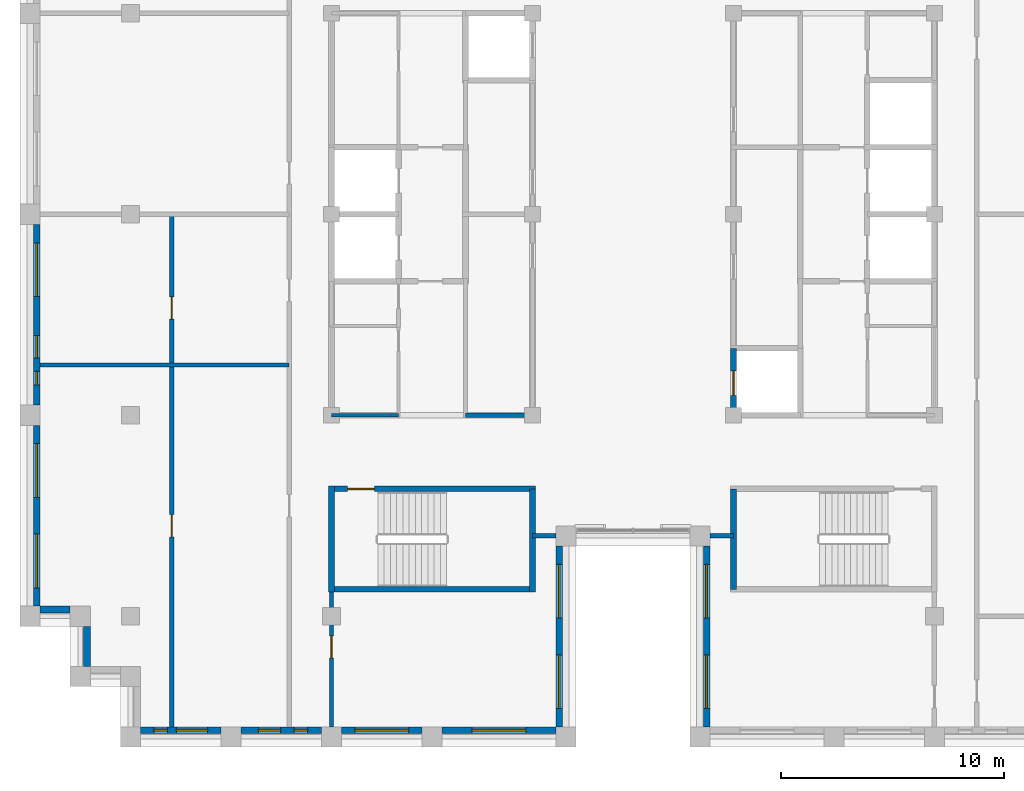
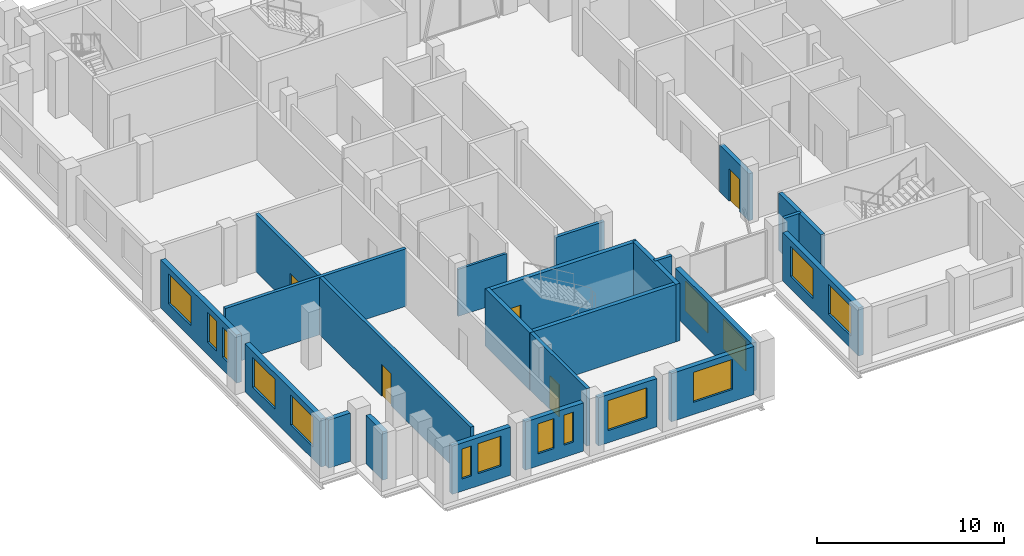
# One storey, part 6 of 13: 23 walls, 15 windows, 5 doors, 20 openings.
"""IFC4 building model written with IfcOpenShell, lengths in metres."""

import ifcopenshell
import ifcopenshell.guid

model = None  # the IFC model being written
_history = None  # IfcOwnerHistory: only IFC2X3 demands one
_inside = {}  # id of a spatial element -> (the spatial element, [elements in it])
_under = {}  # id of a project, library or spatial element -> (it, [spatial elements below it])
_declared = {}  # id of a project -> (the project, [libraries it declares])
_typed = {}  # id of a type object -> (the type object, [elements of that type])
_made_of = {}  # id of a material, layer set ... -> (it, [elements and type objects made of it])


def new_model(schema):
    """Start an empty IFC model of exactly this schema.

    Asked for "IFC4X3", IfcOpenShell would pick the latest addendum, in which some entities
    have other attributes; the version numbers below select the first issue.
    IFC2X3 requires an IfcOwnerHistory on every rooted entity: one is made here for all.
    """
    global model, _history
    if schema == "IFC4X3":
        model = ifcopenshell.file(schema_version=(4, 3, 0, 0))
    else:
        model = ifcopenshell.file(schema=schema)
    _inside.clear()
    _under.clear()
    _declared.clear()
    _typed.clear()
    _made_of.clear()
    _history = None
    if model.schema == "IFC2X3":
        org = make("IfcOrganization", Name="unknown")
        user = make(
            "IfcPersonAndOrganization",
            ThePerson=make("IfcPerson", FamilyName="unknown"),
            TheOrganization=org,
        )
        app = make(
            "IfcApplication",
            ApplicationDeveloper=org,
            Version="unknown",
            ApplicationFullName="unknown",
            ApplicationIdentifier="unknown",
        )
        _history = make(
            "IfcOwnerHistory",
            OwningUser=user,
            OwningApplication=app,
            ChangeAction="ADDED",
            CreationDate=0,
        )
    return model


def make(cls, **values):
    """One entity of the class cls with the attributes given. An attribute that is None is left unset."""
    return model.create_entity(
        cls, **{name: value for name, value in values.items() if value is not None}
    )


def rooted(cls, **values):
    """An entity with a GlobalId (a new one), such as an element, a storey or a relation."""
    return make(cls, GlobalId=ifcopenshell.guid.new(), OwnerHistory=_history, **values)


def si_unit(unit_type, name, prefix=None):
    """IfcSIUnit, for example si_unit("LENGTHUNIT", "METRE", prefix="MILLI")."""
    return make("IfcSIUnit", UnitType=unit_type, Prefix=prefix, Name=name)


def assignment(units):
    """IfcUnitAssignment: the units of a project."""
    return None if units is None else make("IfcUnitAssignment", Units=units)


def point(xyz):
    """IfcCartesianPoint."""
    return None if xyz is None else make("IfcCartesianPoint", Coordinates=xyz)


def direction(xyz):
    """IfcDirection."""
    return None if xyz is None else make("IfcDirection", DirectionRatios=xyz)


def frame(location, z_axis=None, x_axis=None):
    """IfcAxis2Placement3D, a coordinate frame: its origin and axes. An axis left out is left unset."""
    return make(
        "IfcAxis2Placement3D",
        Location=point(location),
        Axis=direction(z_axis),
        RefDirection=direction(x_axis),
    )


def frame_2d(location, x_axis=None):
    """IfcAxis2Placement2D, a coordinate frame in the plane: its origin and x axis."""
    return make(
        "IfcAxis2Placement2D", Location=point(location), RefDirection=direction(x_axis)
    )


def origin():
    """The frame at (0, 0, 0) with its axes left unset."""
    return frame((0.0, 0.0, 0.0))


def place(relative_to, where):
    """IfcLocalPlacement: puts the frame where relative to a parent placement (None: the world)."""
    return make(
        "IfcLocalPlacement", PlacementRelTo=relative_to, RelativePlacement=where
    )


def context(
    kind, dimensions, precision=None, world=None, true_north=None, identifier=None
):
    """IfcGeometricRepresentationContext, for example the 3D "Model" context."""
    return make(
        "IfcGeometricRepresentationContext",
        ContextIdentifier=identifier,
        ContextType=kind,
        CoordinateSpaceDimension=dimensions,
        Precision=precision,
        WorldCoordinateSystem=world,
        TrueNorth=true_north,
    )


def subcontext(parent, identifier, kind, view, scale=None):
    """IfcGeometricRepresentationSubContext, for example "Body" below "Model"."""
    return make(
        "IfcGeometricRepresentationSubContext",
        ContextIdentifier=identifier,
        ContextType=kind,
        ParentContext=parent,
        TargetScale=scale,
        TargetView=view,
    )


def project(units=None, contexts=None):
    """IfcProject with its units and contexts."""
    return rooted(
        "IfcProject",
        Name="project",
        RepresentationContexts=contexts,
        UnitsInContext=assignment(units),
    )


def spatial(cls, under=None, at=None, **own):
    """A site, building, storey or space (cls), placed at a placement, below another one or the project."""
    s = rooted(cls, ObjectPlacement=at, **own)
    if under is not None:
        _under.setdefault(under.id(), (under, []))[1].append(s)
    return s


def profile(cls, at=None, kind="AREA", **sizes):
    """A parametric profile (cls). Its sizes go by their IFC names, for example OverallWidth=200.0."""
    return make(cls, ProfileType=kind, Position=at, **sizes)


def rectangle(**sizes):
    """IfcRectangleProfileDef."""
    return profile("IfcRectangleProfileDef", **sizes)


def extrude(swept, where, along, depth):
    """IfcExtrudedAreaSolid: the profile swept, set in the frame where, extruded along a direction by depth."""
    return make(
        "IfcExtrudedAreaSolid",
        SweptArea=swept,
        Position=where,
        ExtrudedDirection=direction(along),
        Depth=depth,
    )


def shape(context_of_items, identifier, shape_type, items):
    """IfcShapeRepresentation: the items that make up one representation, for example the "Body"."""
    return make(
        "IfcShapeRepresentation",
        ContextOfItems=context_of_items,
        RepresentationIdentifier=identifier,
        RepresentationType=shape_type,
        Items=items,
    )


def material(Name=None, Category=None):
    """IfcMaterial."""
    return make("IfcMaterial", Name=Name, Category=Category)


def layer(
    of_material, thickness, ventilated=None, Name=None, Category=None, Priority=None
):
    """IfcMaterialLayer: one layer of a wall or slab, of a material (None: an air gap)."""
    return make(
        "IfcMaterialLayer",
        Material=of_material,
        LayerThickness=thickness,
        IsVentilated=ventilated,
        Name=Name,
        Category=Category,
        Priority=Priority,
    )


def layer_set(layers, Name=None):
    """IfcMaterialLayerSet."""
    return make("IfcMaterialLayerSet", MaterialLayers=layers, LayerSetName=Name)


def made_of(thing, what):
    """Note that an element or type object is made of a material, layer set ...; save() writes the relation."""
    if what is not None:
        _made_of.setdefault(what.id(), (what, []))[1].append(thing)
    return thing


def type_object(cls, material=None, **own):
    """A type object (cls), such as IfcWallType, which elements share."""
    return made_of(rooted(cls, **own), material)


def element(
    cls,
    number,
    at=None,
    inside=None,
    cuts=None,
    type_object=None,
    material=None,
    context=None,
    identifier="Body",
    shape_type=None,
    held_by="IfcProductDefinitionShape",
    body=None,
    shapes=None,
    **own,
):
    """One element of the class cls, such as IfcWall. Its Tag is "e" and its number.

    at: its placement. inside: the storey or other place that contains it. cuts: it is an
    opening in that element (IfcRelVoidsElement). A single representation is given by context,
    identifier, shape_type and body (its items); several are given by shapes. held_by: the class
    of the entity that holds the representations. save() writes the other relations.
    """
    e = rooted(cls, Tag="e%d" % number, ObjectPlacement=at, **own)
    if body is not None:
        shapes = [shape(context, identifier, shape_type, body)]
    if shapes is not None:
        e.Representation = make(held_by, Representations=shapes)
    if inside is not None:
        _inside.setdefault(inside.id(), (inside, []))[1].append(e)
    if cuts is not None:
        rooted(
            "IfcRelVoidsElement", RelatingBuildingElement=cuts, RelatedOpeningElement=e
        )
    if type_object is not None:
        _typed.setdefault(type_object.id(), (type_object, []))[1].append(e)
    return made_of(e, material)


def fill(opening, filler):
    """IfcRelFillsElement: the door or window that sits in an opening."""
    return rooted(
        "IfcRelFillsElement",
        RelatingOpeningElement=opening,
        RelatedBuildingElement=filler,
    )


def aggregate(whole, parts):
    """IfcRelAggregates: a whole, such as a stair, and the parts it consists of."""
    return rooted("IfcRelAggregates", RelatingObject=whole, RelatedObjects=parts)


def save(model, path):
    """Write the relations noted so far, then the file.

    IfcRelAggregates (storeys below a building ...), IfcRelContainedInSpatialStructure (elements
    in a storey), IfcRelDefinesByType, IfcRelAssociatesMaterial and IfcRelDeclares: one each for
    every whole, place, type object, material and project.
    """
    for whole, parts in _under.values():
        aggregate(whole, parts)
    for where, things in _inside.values():
        rooted(
            "IfcRelContainedInSpatialStructure",
            RelatedElements=things,
            RelatingStructure=where,
        )
    for kind, things in _typed.values():
        rooted("IfcRelDefinesByType", RelatedObjects=things, RelatingType=kind)
    for what, things in _made_of.values():
        rooted("IfcRelAssociatesMaterial", RelatedObjects=things, RelatingMaterial=what)
    for by, libraries in _declared.values():
        rooted("IfcRelDeclares", RelatingContext=by, RelatedDefinitions=libraries)
    model.write(path)


model = new_model("IFC4")

# Units and contexts
model_context = context("Model", 3, precision=1e-05, world=origin(), true_north=direction((0.0, 1.0)))
body_context = subcontext(model_context, "Body", "Model", "MODEL_VIEW")
ifc_project = project(units=[si_unit("LENGTHUNIT", "METRE"), si_unit("AREAUNIT", "SQUARE_METRE"), si_unit("VOLUMEUNIT", "CUBIC_METRE"), si_unit("PLANEANGLEUNIT", "RADIAN"), si_unit("MASSUNIT", "GRAM", prefix="KILO")], contexts=[model_context])

# Site, building, storey
site_placement = place(None, origin())
site = spatial("IfcSite", under=ifc_project, at=site_placement, CompositionType="ELEMENT")
building_placement = place(site_placement, origin())
building = spatial("IfcBuilding", under=site, at=building_placement, Name="Corbelhall Arena Tower", CompositionType="ELEMENT")
storey_placement = place(building_placement, frame((0.0, 0.0, 312.0)))
storey = spatial("IfcBuildingStorey", under=building, at=storey_placement, Name="L68", CompositionType="ELEMENT", Elevation=312.0)

# Wall, openings, windows
ifc_material_1 = material(Name="Precast concrete C40/50 with granite facing", Category="masonry")
ifc_layer_1 = layer(ifc_material_1, 0.300048828125)
ifc_layer_set_1 = layer_set([ifc_layer_1], Name="EV-IW1 Infill panel 300")
wall_type_1 = type_object("IfcWallType", Name="EV-IW1 Infill panel 300", PredefinedType="SOLIDWALL", material=ifc_layer_set_1)
wall_1_placement = place(storey_placement, frame((-26.699951171875, -0.449951171875, 0.0), z_axis=(0.0, 0.0, 1.0), x_axis=(0.0, -1.0, 0.0)))
wall_1 = element("IfcWall", 1, at=wall_1_placement, inside=storey, type_object=wall_type_1, Name="Infill panel IW1", PredefinedType="SOLIDWALL", context=body_context, shape_type="SweptSolid", body=[
    extrude(rectangle(XDim=8.10009765625, YDim=0.300048828125, at=frame_2d((4.050048828125, 0.0))), origin(), (0.0, 0.0, 1.0), 3.139892578125),
])
opening_1_placement = place(wall_1_placement, frame((0.824951171875, 0.0, 0.800048828125)))
opening_1 = element("IfcOpeningElement", 2, at=opening_1_placement, cuts=wall_1, Name="Opening WN1", PredefinedType="OPENING", context=body_context, shape_type="SweptSolid", body=[
    extrude(rectangle(XDim=2.39990234375, YDim=1.949951171875, at=frame_2d((1.199951171875, 0.97509765625))), frame((0.0, 0.14990234375, 0.0), z_axis=(0.0, -1.0, 0.0), x_axis=(1.0, 0.0, 0.0)), (0.0, 0.0, 1.0), 0.300048828125),
])
opening_2_placement = place(wall_1_placement, frame((4.987548828125, 0.0, 0.800048828125)))
opening_2 = element("IfcOpeningElement", 3, at=opening_2_placement, cuts=wall_1, Name="Opening WN6", PredefinedType="OPENING", context=body_context, shape_type="SweptSolid", body=[
    extrude(rectangle(XDim=1.0, YDim=1.949951171875, at=frame_2d((0.5, 0.97509765625))), frame((0.0, 0.14990234375, 0.0), z_axis=(0.0, -1.0, 0.0), x_axis=(1.0, 0.0, 0.0)), (0.0, 0.0, 1.0), 0.300048828125),
])
opening_3_placement = place(wall_1_placement, frame((6.58740234375, 0.0, 0.800048828125)))
opening_3 = element("IfcOpeningElement", 4, at=opening_3_placement, cuts=wall_1, Name="Opening WN5", PredefinedType="OPENING", context=body_context, shape_type="SweptSolid", body=[
    extrude(rectangle(XDim=0.60009765625, YDim=1.949951171875, at=frame_2d((0.300048828125, 0.97509765625))), frame((0.0, 0.14990234375, 0.0), z_axis=(0.0, -1.0, 0.0), x_axis=(1.0, 0.0, 0.0)), (0.0, 0.0, 1.0), 0.300048828125),
])
ifc_material_2 = material(Name="Aluminium black anodised", Category="aluminium")
window_type_1 = type_object("IfcWindowType", Name="EV-WN1 Office window", PartitioningType="SINGLE_PANEL", PredefinedType="WINDOW", material=ifc_material_2)
window_1_placement = place(opening_1_placement, origin())
window_1 = element("IfcWindow", 5, at=window_1_placement, inside=storey, type_object=window_type_1, Name="Window WN1", OverallHeight=1.949951171875, OverallWidth=2.39990234375, PartitioningType="SINGLE_PANEL", PredefinedType="WINDOW", context=body_context, shape_type="SweptSolid", body=[
    extrude(rectangle(XDim=2.39990234375, YDim=1.949951171875, at=frame_2d((1.199951171875, 0.97509765625))), frame((0.0, 0.030029296875, 0.0), z_axis=(0.0, -1.0, 0.0), x_axis=(1.0, 0.0, 0.0)), (0.0, 0.0, 1.0), 0.06005859375),
])
fill(opening_1, window_1)
window_type_2 = type_object("IfcWindowType", Name="EV-WN5 Office window 600", PartitioningType="SINGLE_PANEL", PredefinedType="WINDOW", material=ifc_material_2)
window_2_placement = place(opening_3_placement, origin())
window_2 = element("IfcWindow", 6, at=window_2_placement, inside=storey, type_object=window_type_2, Name="Window WN5", OverallHeight=1.949951171875, OverallWidth=0.60009765625, PartitioningType="SINGLE_PANEL", PredefinedType="WINDOW", context=body_context, shape_type="SweptSolid", body=[
    extrude(rectangle(XDim=0.60009765625, YDim=1.949951171875, at=frame_2d((0.300048828125, 0.97509765625))), frame((0.0, 0.030029296875, 0.0), z_axis=(0.0, -1.0, 0.0), x_axis=(1.0, 0.0, 0.0)), (0.0, 0.0, 1.0), 0.06005859375),
])
fill(opening_3, window_2)
window_type_3 = type_object("IfcWindowType", Name="EV-WN6 Office window 1000", PartitioningType="SINGLE_PANEL", PredefinedType="WINDOW", material=ifc_material_2)
window_3_placement = place(opening_2_placement, origin())
window_3 = element("IfcWindow", 7, at=window_3_placement, inside=storey, type_object=window_type_3, Name="Window WN6", OverallHeight=1.949951171875, OverallWidth=1.0, PartitioningType="SINGLE_PANEL", PredefinedType="WINDOW", context=body_context, shape_type="SweptSolid", body=[
    extrude(rectangle(XDim=1.0, YDim=1.949951171875, at=frame_2d((0.5, 0.97509765625))), frame((0.0, 0.030029296875, 0.0), z_axis=(0.0, -1.0, 0.0), x_axis=(1.0, 0.0, 0.0)), (0.0, 0.0, 1.0), 0.06005859375),
])
fill(opening_2, window_3)

wall_2_placement = place(storey_placement, frame((-26.699951171875, -9.449951171875, 0.0), z_axis=(0.0, 0.0, 1.0), x_axis=(0.0, -1.0, 0.0)))
wall_2 = element("IfcWall", 8, at=wall_2_placement, inside=storey, type_object=wall_type_1, Name="Infill panel IW1", PredefinedType="SOLIDWALL", context=body_context, shape_type="SweptSolid", body=[
    extrude(rectangle(XDim=8.10009765625, YDim=0.300048828125, at=frame_2d((4.050048828125, 0.0))), origin(), (0.0, 0.0, 1.0), 3.139892578125),
])
opening_4_placement = place(wall_2_placement, frame((0.824951171875, 0.0, 0.800048828125)))
opening_4 = element("IfcOpeningElement", 9, at=opening_4_placement, cuts=wall_2, Name="Opening WN1", PredefinedType="OPENING", context=body_context, shape_type="SweptSolid", body=[
    extrude(rectangle(XDim=2.39990234375, YDim=1.949951171875, at=frame_2d((1.199951171875, 0.97509765625))), frame((0.0, 0.14990234375, 0.0), z_axis=(0.0, -1.0, 0.0), x_axis=(1.0, 0.0, 0.0)), (0.0, 0.0, 1.0), 0.300048828125),
])
opening_5_placement = place(wall_2_placement, frame((4.875, 0.0, 0.800048828125)))
opening_5 = element("IfcOpeningElement", 10, at=opening_5_placement, cuts=wall_2, Name="Opening WN1", PredefinedType="OPENING", context=body_context, shape_type="SweptSolid", body=[
    extrude(rectangle(XDim=2.39990234375, YDim=1.949951171875, at=frame_2d((1.199951171875, 0.97509765625))), frame((0.0, 0.14990234375, 0.0), z_axis=(0.0, -1.0, 0.0), x_axis=(1.0, 0.0, 0.0)), (0.0, 0.0, 1.0), 0.300048828125),
])
window_4_placement = place(opening_4_placement, origin())
window_4 = element("IfcWindow", 11, at=window_4_placement, inside=storey, type_object=window_type_1, Name="Window WN1", OverallHeight=1.949951171875, OverallWidth=2.39990234375, PartitioningType="SINGLE_PANEL", PredefinedType="WINDOW", context=body_context, shape_type="SweptSolid", body=[
    extrude(rectangle(XDim=2.39990234375, YDim=1.949951171875, at=frame_2d((1.199951171875, 0.97509765625))), frame((0.0, 0.030029296875, 0.0), z_axis=(0.0, -1.0, 0.0), x_axis=(1.0, 0.0, 0.0)), (0.0, 0.0, 1.0), 0.06005859375),
])
fill(opening_4, window_4)
window_5_placement = place(opening_5_placement, origin())
window_5 = element("IfcWindow", 12, at=window_5_placement, inside=storey, type_object=window_type_1, Name="Window WN1", OverallHeight=1.949951171875, OverallWidth=2.39990234375, PartitioningType="SINGLE_PANEL", PredefinedType="WINDOW", context=body_context, shape_type="SweptSolid", body=[
    extrude(rectangle(XDim=2.39990234375, YDim=1.949951171875, at=frame_2d((1.199951171875, 0.97509765625))), frame((0.0, 0.030029296875, 0.0), z_axis=(0.0, -1.0, 0.0), x_axis=(1.0, 0.0, 0.0)), (0.0, 0.0, 1.0), 0.06005859375),
])
fill(opening_5, window_5)

# Walls
wall_3_placement = place(storey_placement, frame((-26.550048828125, -17.699951171875, 0.0), z_axis=(0.0, 0.0, 1.0), x_axis=(1.0, 0.0, 0.0)))
element("IfcWall", 13, at=wall_3_placement, inside=storey, type_object=wall_type_1, Name="Infill panel IW1", PredefinedType="SOLIDWALL", context=body_context, shape_type="SweptSolid", body=[
    extrude(rectangle(XDim=1.35009765625, YDim=0.300048828125, at=frame_2d((0.675048828125, 0.0))), origin(), (0.0, 0.0, 1.0), 3.139892578125),
])
wall_4_placement = place(storey_placement, frame((-24.449951171875, -18.449951171875, 0.0), z_axis=(0.0, 0.0, 1.0), x_axis=(0.0, -1.0, 0.0)))
element("IfcWall", 14, at=wall_4_placement, inside=storey, type_object=wall_type_1, Name="Infill panel IW1", PredefinedType="SOLIDWALL", context=body_context, shape_type="SweptSolid", body=[
    extrude(rectangle(XDim=1.800048828125, YDim=0.300048828125, at=frame_2d((0.89990234375, 0.0))), origin(), (0.0, 0.0, 1.0), 3.139892578125),
])

# Wall, openings, windows
wall_5_placement = place(storey_placement, frame((-22.050048828125, -23.10009765625, 0.0), z_axis=(0.0, 0.0, 1.0), x_axis=(1.0, 0.0, 0.0)))
wall_5 = element("IfcWall", 15, at=wall_5_placement, inside=storey, type_object=wall_type_1, Name="Infill panel IW1", PredefinedType="SOLIDWALL", context=body_context, shape_type="SweptSolid", body=[
    extrude(rectangle(XDim=3.60009765625, YDim=0.300048828125, at=frame_2d((1.800048828125, 0.0))), origin(), (0.0, 0.0, 1.0), 3.139892578125),
])
opening_6_placement = place(wall_5_placement, frame((0.60009765625, 0.0, 0.800048828125)))
opening_6 = element("IfcOpeningElement", 16, at=opening_6_placement, cuts=wall_5, Name="Opening WN5", PredefinedType="OPENING", context=body_context, shape_type="SweptSolid", body=[
    extrude(rectangle(XDim=0.60009765625, YDim=1.949951171875, at=frame_2d((0.300048828125, 0.97509765625))), frame((0.0, 0.14990234375, 0.0), z_axis=(0.0, -1.0, 0.0), x_axis=(1.0, 0.0, 0.0)), (0.0, 0.0, 1.0), 0.300048828125),
])
opening_7_placement = place(wall_5_placement, frame((1.60009765625, 0.0, 0.800048828125)))
opening_7 = element("IfcOpeningElement", 17, at=opening_7_placement, cuts=wall_5, Name="Opening WN7", PredefinedType="OPENING", context=body_context, shape_type="SweptSolid", body=[
    extrude(rectangle(XDim=1.39990234375, YDim=1.949951171875, at=frame_2d((0.699951171875, 0.97509765625))), frame((0.0, 0.14990234375, 0.0), z_axis=(0.0, -1.0, 0.0), x_axis=(1.0, 0.0, 0.0)), (0.0, 0.0, 1.0), 0.300048828125),
])
window_6_placement = place(opening_6_placement, origin())
window_6 = element("IfcWindow", 18, at=window_6_placement, inside=storey, type_object=window_type_2, Name="Window WN5", OverallHeight=1.949951171875, OverallWidth=0.60009765625, PartitioningType="SINGLE_PANEL", PredefinedType="WINDOW", context=body_context, shape_type="SweptSolid", body=[
    extrude(rectangle(XDim=0.60009765625, YDim=1.949951171875, at=frame_2d((0.300048828125, 0.97509765625))), frame((0.0, 0.030029296875, 0.0), z_axis=(0.0, -1.0, 0.0), x_axis=(1.0, 0.0, 0.0)), (0.0, 0.0, 1.0), 0.06005859375),
])
fill(opening_6, window_6)
window_type_4 = type_object("IfcWindowType", Name="EV-WN7 Office window 1400", PartitioningType="SINGLE_PANEL", PredefinedType="WINDOW", material=ifc_material_2)
window_7_placement = place(opening_7_placement, origin())
window_7 = element("IfcWindow", 19, at=window_7_placement, inside=storey, type_object=window_type_4, Name="Window WN7", OverallHeight=1.949951171875, OverallWidth=1.39990234375, PartitioningType="SINGLE_PANEL", PredefinedType="WINDOW", context=body_context, shape_type="SweptSolid", body=[
    extrude(rectangle(XDim=1.39990234375, YDim=1.949951171875, at=frame_2d((0.699951171875, 0.97509765625))), frame((0.0, 0.030029296875, 0.0), z_axis=(0.0, -1.0, 0.0), x_axis=(1.0, 0.0, 0.0)), (0.0, 0.0, 1.0), 0.06005859375),
])
fill(opening_7, window_7)

wall_6_placement = place(storey_placement, frame((-17.550048828125, -23.10009765625, 0.0), z_axis=(0.0, 0.0, 1.0), x_axis=(1.0, 0.0, 0.0)))
wall_6 = element("IfcWall", 20, at=wall_6_placement, inside=storey, type_object=wall_type_1, Name="Infill panel IW1", PredefinedType="SOLIDWALL", context=body_context, shape_type="SweptSolid", body=[
    extrude(rectangle(XDim=3.60009765625, YDim=0.300048828125, at=frame_2d((1.800048828125, 0.0))), origin(), (0.0, 0.0, 1.0), 3.139892578125),
])
opening_8_placement = place(wall_6_placement, frame((0.77490234375, 0.0, 0.800048828125)))
opening_8 = element("IfcOpeningElement", 21, at=opening_8_placement, cuts=wall_6, Name="Opening WN6", PredefinedType="OPENING", context=body_context, shape_type="SweptSolid", body=[
    extrude(rectangle(XDim=1.0, YDim=1.949951171875, at=frame_2d((0.5, 0.97509765625))), frame((0.0, 0.14990234375, 0.0), z_axis=(0.0, -1.0, 0.0), x_axis=(1.0, 0.0, 0.0)), (0.0, 0.0, 1.0), 0.300048828125),
])
opening_9_placement = place(wall_6_placement, frame((2.375, 0.0, 0.800048828125)))
opening_9 = element("IfcOpeningElement", 22, at=opening_9_placement, cuts=wall_6, Name="Opening WN5", PredefinedType="OPENING", context=body_context, shape_type="SweptSolid", body=[
    extrude(rectangle(XDim=0.60009765625, YDim=1.949951171875, at=frame_2d((0.300048828125, 0.97509765625))), frame((0.0, 0.14990234375, 0.0), z_axis=(0.0, -1.0, 0.0), x_axis=(1.0, 0.0, 0.0)), (0.0, 0.0, 1.0), 0.300048828125),
])
window_8_placement = place(opening_9_placement, origin())
window_8 = element("IfcWindow", 23, at=window_8_placement, inside=storey, type_object=window_type_2, Name="Window WN5", OverallHeight=1.949951171875, OverallWidth=0.60009765625, PartitioningType="SINGLE_PANEL", PredefinedType="WINDOW", context=body_context, shape_type="SweptSolid", body=[
    extrude(rectangle(XDim=0.60009765625, YDim=1.949951171875, at=frame_2d((0.300048828125, 0.97509765625))), frame((0.0, 0.030029296875, 0.0), z_axis=(0.0, -1.0, 0.0), x_axis=(1.0, 0.0, 0.0)), (0.0, 0.0, 1.0), 0.06005859375),
])
fill(opening_9, window_8)
window_9_placement = place(opening_8_placement, origin())
window_9 = element("IfcWindow", 24, at=window_9_placement, inside=storey, type_object=window_type_3, Name="Window WN6", OverallHeight=1.949951171875, OverallWidth=1.0, PartitioningType="SINGLE_PANEL", PredefinedType="WINDOW", context=body_context, shape_type="SweptSolid", body=[
    extrude(rectangle(XDim=1.0, YDim=1.949951171875, at=frame_2d((0.5, 0.97509765625))), frame((0.0, 0.030029296875, 0.0), z_axis=(0.0, -1.0, 0.0), x_axis=(1.0, 0.0, 0.0)), (0.0, 0.0, 1.0), 0.06005859375),
])
fill(opening_8, window_9)

# Wall, opening, window
wall_7_placement = place(storey_placement, frame((-13.050048828125, -23.10009765625, 0.0), z_axis=(0.0, 0.0, 1.0), x_axis=(1.0, 0.0, 0.0)))
wall_7 = element("IfcWall", 25, at=wall_7_placement, inside=storey, type_object=wall_type_1, Name="Infill panel IW1", PredefinedType="SOLIDWALL", context=body_context, shape_type="SweptSolid", body=[
    extrude(rectangle(XDim=3.60009765625, YDim=0.300048828125, at=frame_2d((1.800048828125, 0.0))), origin(), (0.0, 0.0, 1.0), 3.139892578125),
])
opening_10_placement = place(wall_7_placement, frame((0.60009765625, 0.0, 0.800048828125)))
opening_10 = element("IfcOpeningElement", 26, at=opening_10_placement, cuts=wall_7, Name="Opening WN1", PredefinedType="OPENING", context=body_context, shape_type="SweptSolid", body=[
    extrude(rectangle(XDim=2.39990234375, YDim=1.949951171875, at=frame_2d((1.199951171875, 0.97509765625))), frame((0.0, 0.14990234375, 0.0), z_axis=(0.0, -1.0, 0.0), x_axis=(1.0, 0.0, 0.0)), (0.0, 0.0, 1.0), 0.300048828125),
])
window_10_placement = place(opening_10_placement, origin())
window_10 = element("IfcWindow", 27, at=window_10_placement, inside=storey, type_object=window_type_1, Name="Window WN1", OverallHeight=1.949951171875, OverallWidth=2.39990234375, PartitioningType="SINGLE_PANEL", PredefinedType="WINDOW", context=body_context, shape_type="SweptSolid", body=[
    extrude(rectangle(XDim=2.39990234375, YDim=1.949951171875, at=frame_2d((1.199951171875, 0.97509765625))), frame((0.0, 0.030029296875, 0.0), z_axis=(0.0, -1.0, 0.0), x_axis=(1.0, 0.0, 0.0)), (0.0, 0.0, 1.0), 0.06005859375),
])
fill(opening_10, window_10)

wall_8_placement = place(storey_placement, frame((-8.550048828125, -23.10009765625, 0.0), z_axis=(0.0, 0.0, 1.0), x_axis=(1.0, 0.0, 0.0)))
wall_8 = element("IfcWall", 28, at=wall_8_placement, inside=storey, type_object=wall_type_1, Name="Infill panel IW1", PredefinedType="SOLIDWALL", context=body_context, shape_type="SweptSolid", body=[
    extrude(rectangle(XDim=5.10009765625, YDim=0.300048828125, at=frame_2d((2.550048828125, 0.0))), origin(), (0.0, 0.0, 1.0), 3.139892578125),
])
opening_11_placement = place(wall_8_placement, frame((1.35009765625, 0.0, 0.800048828125)))
opening_11 = element("IfcOpeningElement", 29, at=opening_11_placement, cuts=wall_8, Name="Opening WN1", PredefinedType="OPENING", context=body_context, shape_type="SweptSolid", body=[
    extrude(rectangle(XDim=2.39990234375, YDim=1.949951171875, at=frame_2d((1.199951171875, 0.97509765625))), frame((0.0, 0.14990234375, 0.0), z_axis=(0.0, -1.0, 0.0), x_axis=(1.0, 0.0, 0.0)), (0.0, 0.0, 1.0), 0.300048828125),
])
window_11_placement = place(opening_11_placement, origin())
window_11 = element("IfcWindow", 30, at=window_11_placement, inside=storey, type_object=window_type_1, Name="Window WN1", OverallHeight=1.949951171875, OverallWidth=2.39990234375, PartitioningType="SINGLE_PANEL", PredefinedType="WINDOW", context=body_context, shape_type="SweptSolid", body=[
    extrude(rectangle(XDim=2.39990234375, YDim=1.949951171875, at=frame_2d((1.199951171875, 0.97509765625))), frame((0.0, 0.030029296875, 0.0), z_axis=(0.0, -1.0, 0.0), x_axis=(1.0, 0.0, 0.0)), (0.0, 0.0, 1.0), 0.06005859375),
])
fill(opening_11, window_11)

# Wall, openings, windows
wall_9_placement = place(storey_placement, frame((-3.300048828125, -22.949951171875, 0.0), z_axis=(0.0, 0.0, 1.0), x_axis=(0.0, 1.0, 0.0)))
wall_9 = element("IfcWall", 31, at=wall_9_placement, inside=storey, type_object=wall_type_1, Name="Infill panel IW1", PredefinedType="SOLIDWALL", context=body_context, shape_type="SweptSolid", body=[
    extrude(rectangle(XDim=8.099853515625, YDim=0.300048828125, at=frame_2d((4.0498046875, 0.0))), origin(), (0.0, 0.0, 1.0), 3.139892578125),
])
opening_12_placement = place(wall_9_placement, frame((0.824951171875, 0.0, 0.800048828125)))
opening_12 = element("IfcOpeningElement", 32, at=opening_12_placement, cuts=wall_9, Name="Opening WN1", PredefinedType="OPENING", context=body_context, shape_type="SweptSolid", body=[
    extrude(rectangle(XDim=2.39990234375, YDim=1.949951171875, at=frame_2d((1.199951171875, 0.97509765625))), frame((0.0, 0.14990234375, 0.0), z_axis=(0.0, -1.0, 0.0), x_axis=(1.0, 0.0, 0.0)), (0.0, 0.0, 1.0), 0.300048828125),
])
opening_13_placement = place(wall_9_placement, frame((4.875, 0.0, 0.800048828125)))
opening_13 = element("IfcOpeningElement", 33, at=opening_13_placement, cuts=wall_9, Name="Opening WN1", PredefinedType="OPENING", context=body_context, shape_type="SweptSolid", body=[
    extrude(rectangle(XDim=2.39990234375, YDim=1.949951171875, at=frame_2d((1.199951171875, 0.97509765625))), frame((0.0, 0.14990234375, 0.0), z_axis=(0.0, -1.0, 0.0), x_axis=(1.0, 0.0, 0.0)), (0.0, 0.0, 1.0), 0.300048828125),
])
window_12_placement = place(opening_12_placement, origin())
window_12 = element("IfcWindow", 34, at=window_12_placement, inside=storey, type_object=window_type_1, Name="Window WN1", OverallHeight=1.949951171875, OverallWidth=2.39990234375, PartitioningType="SINGLE_PANEL", PredefinedType="WINDOW", context=body_context, shape_type="SweptSolid", body=[
    extrude(rectangle(XDim=2.39990234375, YDim=1.949951171875, at=frame_2d((1.199951171875, 0.97509765625))), frame((0.0, 0.030029296875, 0.0), z_axis=(0.0, -1.0, 0.0), x_axis=(1.0, 0.0, 0.0)), (0.0, 0.0, 1.0), 0.06005859375),
])
fill(opening_12, window_12)
window_13_placement = place(opening_13_placement, origin())
window_13 = element("IfcWindow", 35, at=window_13_placement, inside=storey, type_object=window_type_1, Name="Window WN1", OverallHeight=1.949951171875, OverallWidth=2.39990234375, PartitioningType="SINGLE_PANEL", PredefinedType="WINDOW", context=body_context, shape_type="SweptSolid", body=[
    extrude(rectangle(XDim=2.39990234375, YDim=1.949951171875, at=frame_2d((1.199951171875, 0.97509765625))), frame((0.0, 0.030029296875, 0.0), z_axis=(0.0, -1.0, 0.0), x_axis=(1.0, 0.0, 0.0)), (0.0, 0.0, 1.0), 0.06005859375),
])
fill(opening_13, window_13)

wall_10_placement = place(storey_placement, frame((3.300048828125, -14.85009765625, 0.0), z_axis=(0.0, 0.0, 1.0), x_axis=(0.0, -1.0, 0.0)))
wall_10 = element("IfcWall", 36, at=wall_10_placement, inside=storey, type_object=wall_type_1, Name="Infill panel IW1", PredefinedType="SOLIDWALL", context=body_context, shape_type="SweptSolid", body=[
    extrude(rectangle(XDim=8.099853515625, YDim=0.300048828125, at=frame_2d((4.0498046875, 0.0))), origin(), (0.0, 0.0, 1.0), 3.139892578125),
])
opening_14_placement = place(wall_10_placement, frame((0.824951171875, 0.0, 0.800048828125)))
opening_14 = element("IfcOpeningElement", 37, at=opening_14_placement, cuts=wall_10, Name="Opening WN1", PredefinedType="OPENING", context=body_context, shape_type="SweptSolid", body=[
    extrude(rectangle(XDim=2.39990234375, YDim=1.949951171875, at=frame_2d((1.199951171875, 0.97509765625))), frame((0.0, 0.14990234375, 0.0), z_axis=(0.0, -1.0, 0.0), x_axis=(1.0, 0.0, 0.0)), (0.0, 0.0, 1.0), 0.300048828125),
])
opening_15_placement = place(wall_10_placement, frame((4.875, 0.0, 0.800048828125)))
opening_15 = element("IfcOpeningElement", 38, at=opening_15_placement, cuts=wall_10, Name="Opening WN1", PredefinedType="OPENING", context=body_context, shape_type="SweptSolid", body=[
    extrude(rectangle(XDim=2.39990234375, YDim=1.949951171875, at=frame_2d((1.199951171875, 0.97509765625))), frame((0.0, 0.14990234375, 0.0), z_axis=(0.0, -1.0, 0.0), x_axis=(1.0, 0.0, 0.0)), (0.0, 0.0, 1.0), 0.300048828125),
])
window_14_placement = place(opening_14_placement, origin())
window_14 = element("IfcWindow", 39, at=window_14_placement, inside=storey, type_object=window_type_1, Name="Window WN1", OverallHeight=1.949951171875, OverallWidth=2.39990234375, PartitioningType="SINGLE_PANEL", PredefinedType="WINDOW", context=body_context, shape_type="SweptSolid", body=[
    extrude(rectangle(XDim=2.39990234375, YDim=1.949951171875, at=frame_2d((1.199951171875, 0.97509765625))), frame((0.0, 0.030029296875, 0.0), z_axis=(0.0, -1.0, 0.0), x_axis=(1.0, 0.0, 0.0)), (0.0, 0.0, 1.0), 0.06005859375),
])
fill(opening_14, window_14)
window_15_placement = place(opening_15_placement, origin())
window_15 = element("IfcWindow", 40, at=window_15_placement, inside=storey, type_object=window_type_1, Name="Window WN1", OverallHeight=1.949951171875, OverallWidth=2.39990234375, PartitioningType="SINGLE_PANEL", PredefinedType="WINDOW", context=body_context, shape_type="SweptSolid", body=[
    extrude(rectangle(XDim=2.39990234375, YDim=1.949951171875, at=frame_2d((1.199951171875, 0.97509765625))), frame((0.0, 0.030029296875, 0.0), z_axis=(0.0, -1.0, 0.0), x_axis=(1.0, 0.0, 0.0)), (0.0, 0.0, 1.0), 0.06005859375),
])
fill(opening_15, window_15)

# Wall
ifc_material_3 = material(Name="Gypsum board on steel stud, acoustic", Category="steel")
ifc_layer_2 = layer(ifc_material_3, 0.199951171875)
ifc_layer_set_2 = layer_set([ifc_layer_2], Name="IN-W-DM200")
wall_type_2 = type_object("IfcWallType", Name="IN-W-DM200", PredefinedType="PARTITIONING", material=ifc_layer_set_2)
wall_11_placement = place(storey_placement, frame((-26.550048828125, -6.75, 0.0), z_axis=(0.0, 0.0, 1.0), x_axis=(1.0, 0.0, 0.0)))
element("IfcWall", 41, at=wall_11_placement, inside=storey, type_object=wall_type_2, Name="Partition 001", PredefinedType="PARTITIONING", context=body_context, shape_type="SweptSolid", body=[
    extrude(rectangle(XDim=11.150146484375, YDim=0.199951171875, at=frame_2d((5.5751953125, 0.0))), origin(), (0.0, 0.0, 1.0), 3.739990234375),
])

# Wall, openings, doors
wall_12_placement = place(storey_placement, frame((-20.64990234375, -22.949951171875, 0.0), z_axis=(0.0, 0.0, 1.0), x_axis=(0.0, 1.0, 0.0)))
wall_12 = element("IfcWall", 42, at=wall_12_placement, inside=storey, type_object=wall_type_2, Name="Partition 005", PredefinedType="PARTITIONING", context=body_context, shape_type="SweptSolid", body=[
    extrude(rectangle(XDim=22.949951171875, YDim=0.199951171875, at=frame_2d((11.47509765625, 0.0))), origin(), (0.0, 0.0, 1.0), 3.739990234375),
])
opening_16_placement = place(wall_12_placement, frame((8.5, 0.0, 0.0)))
opening_16 = element("IfcOpeningElement", 43, at=opening_16_placement, cuts=wall_12, Name="Opening 22024", PredefinedType="OPENING", context=body_context, shape_type="SweptSolid", body=[
    extrude(rectangle(XDim=1.0, YDim=2.10009765625, at=frame_2d((0.5, 1.050048828125))), frame((0.0, 0.10009765625, 0.0), z_axis=(0.0, -1.0, 0.0), x_axis=(1.0, 0.0, 0.0)), (0.0, 0.0, 1.0), 0.199951171875),
])
opening_17_placement = place(wall_12_placement, frame((18.25, 0.0, 0.0)))
opening_17 = element("IfcOpeningElement", 44, at=opening_17_placement, cuts=wall_12, Name="Opening 22026", PredefinedType="OPENING", context=body_context, shape_type="SweptSolid", body=[
    extrude(rectangle(XDim=1.0, YDim=2.10009765625, at=frame_2d((0.5, 1.050048828125))), frame((0.0, 0.10009765625, 0.0), z_axis=(0.0, -1.0, 0.0), x_axis=(1.0, 0.0, 0.0)), (0.0, 0.0, 1.0), 0.199951171875),
])
ifc_material_4 = material(Name="Steel door set", Category="steel")
door_type_1 = type_object("IfcDoorType", Name="IN-D-SW100", OperationType="NOTDEFINED", PredefinedType="DOOR", material=ifc_material_4)
door_1_placement = place(opening_16_placement, origin())
door_1 = element("IfcDoor", 45, at=door_1_placement, inside=storey, type_object=door_type_1, Name="Door 024", OperationType="SINGLE_SWING_LEFT", OverallHeight=2.10009765625, OverallWidth=1.0, PredefinedType="DOOR", context=body_context, shape_type="SweptSolid", body=[
    extrude(rectangle(XDim=1.0, YDim=2.10009765625, at=frame_2d((0.5, 1.050048828125))), frame((0.0, 0.02490234375, 0.0), z_axis=(0.0, -1.0, 0.0), x_axis=(1.0, 0.0, 0.0)), (0.0, 0.0, 1.0), 0.050048828125),
])
fill(opening_16, door_1)
door_2_placement = place(opening_17_placement, origin())
door_2 = element("IfcDoor", 46, at=door_2_placement, inside=storey, type_object=door_type_1, Name="Door 026", OperationType="SINGLE_SWING_LEFT", OverallHeight=2.10009765625, OverallWidth=1.0, PredefinedType="DOOR", context=body_context, shape_type="SweptSolid", body=[
    extrude(rectangle(XDim=1.0, YDim=2.10009765625, at=frame_2d((0.5, 1.050048828125))), frame((0.0, 0.02490234375, 0.0), z_axis=(0.0, -1.0, 0.0), x_axis=(1.0, 0.0, 0.0)), (0.0, 0.0, 1.0), 0.050048828125),
])
fill(opening_17, door_2)

# Wall, opening, door
wall_13_placement = place(storey_placement, frame((-13.5, -16.675048828125, 0.0), z_axis=(0.0, 0.0, 1.0), x_axis=(0.0, -1.0, 0.0)))
wall_13 = element("IfcWall", 47, at=wall_13_placement, inside=storey, type_object=wall_type_2, Name="Partition 011", PredefinedType="PARTITIONING", context=body_context, shape_type="SweptSolid", body=[
    extrude(rectangle(XDim=6.27490234375, YDim=0.199951171875, at=frame_2d((3.137451171875, 0.0))), origin(), (0.0, 0.0, 1.0), 3.739990234375),
])
opening_18_placement = place(wall_13_placement, frame((2.199951171875, 0.0, 0.0)))
opening_18 = element("IfcOpeningElement", 48, at=opening_18_placement, cuts=wall_13, Name="Opening 22019", PredefinedType="OPENING", context=body_context, shape_type="SweptSolid", body=[
    extrude(rectangle(XDim=1.0, YDim=2.10009765625, at=frame_2d((0.5, 1.050048828125))), frame((0.0, 0.10009765625, 0.0), z_axis=(0.0, -1.0, 0.0), x_axis=(1.0, 0.0, 0.0)), (0.0, 0.0, 1.0), 0.199951171875),
])
door_3_placement = place(opening_18_placement, origin())
door_3 = element("IfcDoor", 49, at=door_3_placement, inside=storey, type_object=door_type_1, Name="Door 019", OperationType="SINGLE_SWING_RIGHT", OverallHeight=2.10009765625, OverallWidth=1.0, PredefinedType="DOOR", context=body_context, shape_type="SweptSolid", body=[
    extrude(rectangle(XDim=1.0, YDim=2.10009765625, at=frame_2d((0.5, 1.050048828125))), frame((0.0, 0.02490234375, 0.0), z_axis=(0.0, -1.0, 0.0), x_axis=(1.0, 0.0, 0.0)), (0.0, 0.0, 1.0), 0.050048828125),
])
fill(opening_18, door_3)

# Walls
for number, where, z_axis, x_axis, name in (
    (50, (-3.449951171875, -14.39990234375, 0.0), (0.0, 0.0, 1.0), (-1.0, 0.0, 0.0), "Partition 013"),
    (51, (4.5, -14.39990234375, 0.0), (0.0, 0.0, 1.0), (-1.0, 0.0, 0.0), "Partition 015"),
):
    element("IfcWall", number, at=place(storey_placement, frame(where, z_axis=z_axis, x_axis=x_axis)), inside=storey, type_object=wall_type_2, Name=name, PredefinedType="PARTITIONING", context=body_context, shape_type="SweptSolid", body=[
        extrude(rectangle(XDim=1.050048828125, YDim=0.199951171875, at=frame_2d((0.52490234375, 0.0))), origin(), (0.0, 0.0, 1.0), 3.739990234375),
    ])
ifc_material_5 = material(Name="Concrete block wall", Category="concrete")
ifc_layer_3 = layer(ifc_material_5, 0.199951171875)
ifc_layer_set_3 = layer_set([ifc_layer_3], Name="IN-W-RS200 under beam 678 mm")
wall_type_3 = type_object("IfcWallType", Name="IN-W-RS200 under beam 678 mm", PredefinedType="SOLIDWALL", material=ifc_layer_set_3)
wall_14_placement = place(storey_placement, frame((-4.5, -9.0, 0.0), z_axis=(0.0, 0.0, 1.0), x_axis=(-1.0, 0.0, 0.0)))
element("IfcWall", 52, at=wall_14_placement, inside=storey, type_object=wall_type_3, Name="Partition 029", PredefinedType="SOLIDWALL", context=body_context, shape_type="SweptSolid", body=[
    extrude(rectangle(XDim=3.0, YDim=0.199951171875, at=frame_2d((1.5, 0.0))), origin(), (0.0, 0.0, 1.0), 3.061767578125),
])

# Wall, opening, door
ifc_material_6 = material(Name="Concrete C40/50", Category="concrete")
ifc_layer_4 = layer(ifc_material_6, 0.25)
ifc_layer_set_4 = layer_set([ifc_layer_4], Name="IN-W-SH250 under beam 678 mm")
wall_type_4 = type_object("IfcWallType", Name="IN-W-SH250 under beam 678 mm", PredefinedType="SOLIDWALL", material=ifc_layer_set_4)
wall_15_placement = place(storey_placement, frame((4.5, -9.125, 0.0), z_axis=(0.0, 0.0, 1.0), x_axis=(0.0, 1.0, 0.0)))
wall_15 = element("IfcWall", 53, at=wall_15_placement, inside=storey, type_object=wall_type_4, Name="Shaft wall 052", PredefinedType="SOLIDWALL", context=body_context, shape_type="SweptSolid", body=[
    extrude(rectangle(XDim=3.125, YDim=0.25, at=frame_2d((1.5625, 0.0))), origin(), (0.0, 0.0, 1.0), 3.061767578125),
])
opening_19_placement = place(wall_15_placement, frame((1.012451171875, 0.0, 0.0)))
opening_19 = element("IfcOpeningElement", 54, at=opening_19_placement, cuts=wall_15, Name="Opening LD", PredefinedType="OPENING", context=body_context, shape_type="SweptSolid", body=[
    extrude(rectangle(XDim=1.10009765625, YDim=2.10009765625, at=frame_2d((0.550048828125, 1.050048828125))), frame((0.0, 0.125, 0.0), z_axis=(0.0, -1.0, 0.0), x_axis=(1.0, 0.0, 0.0)), (0.0, 0.0, 1.0), 0.25),
])
door_type_2 = type_object("IfcDoorType", Name="IN-D-LD110", OperationType="NOTDEFINED", PredefinedType="DOOR", material=ifc_material_4)
door_4_placement = place(opening_19_placement, origin())
door_4 = element("IfcDoor", 55, at=door_4_placement, inside=storey, type_object=door_type_2, Name="Landing door E1", OperationType="SLIDING_TO_LEFT", OverallHeight=2.10009765625, OverallWidth=1.10009765625, PredefinedType="DOOR", context=body_context, shape_type="SweptSolid", body=[
    extrude(rectangle(XDim=1.10009765625, YDim=2.10009765625, at=frame_2d((0.550048828125, 1.050048828125))), frame((0.0, 0.02490234375, 0.0), z_axis=(0.0, -1.0, 0.0), x_axis=(1.0, 0.0, 0.0)), (0.0, 0.0, 1.0), 0.050048828125),
])
fill(opening_19, door_4)

# Walls
ifc_layer_5 = layer(ifc_material_6, 0.25)
ifc_layer_set_5 = layer_set([ifc_layer_5], Name="IN-W-ST250")
wall_type_5 = type_object("IfcWallType", Name="IN-W-ST250", PredefinedType="SOLIDWALL", material=ifc_layer_set_5)
wall_16_placement = place(storey_placement, frame((-13.5, -12.175048828125, 0.0), z_axis=(0.0, 0.0, 1.0), x_axis=(0.0, -1.0, 0.0)))
element("IfcWall", 56, at=wall_16_placement, inside=storey, type_object=wall_type_5, Name="Shaft wall 062", PredefinedType="SOLIDWALL", context=body_context, shape_type="SweptSolid", body=[
    extrude(rectangle(XDim=4.75, YDim=0.25, at=frame_2d((2.375, 0.0))), origin(), (0.0, 0.0, 1.0), 3.739990234375),
])
wall_17_placement = place(storey_placement, frame((-4.5, -16.800048828125, 0.0), z_axis=(0.0, 0.0, 1.0), x_axis=(-1.0, 0.0, 0.0)))
element("IfcWall", 57, at=wall_17_placement, inside=storey, type_object=wall_type_5, Name="Shaft wall 066", PredefinedType="SOLIDWALL", context=body_context, shape_type="SweptSolid", body=[
    extrude(rectangle(XDim=9.0, YDim=0.25, at=frame_2d((4.5, 0.0))), origin(), (0.0, 0.0, 1.0), 3.739990234375),
])
wall_18_placement = place(storey_placement, frame((-4.5, -12.300048828125, 0.0), z_axis=(0.0, 0.0, 1.0), x_axis=(0.0, -1.0, 0.0)))
element("IfcWall", 58, at=wall_18_placement, inside=storey, type_object=wall_type_5, Name="Shaft wall 067", PredefinedType="SOLIDWALL", context=body_context, shape_type="SweptSolid", body=[
    extrude(rectangle(XDim=4.625, YDim=0.25, at=frame_2d((2.3125, 0.0))), origin(), (0.0, 0.0, 1.0), 3.739990234375),
])

# Wall, opening, door
wall_19_placement = place(storey_placement, frame((-4.375, -12.300048828125, 0.0), z_axis=(0.0, 0.0, 1.0), x_axis=(-1.0, 0.0, 0.0)))
wall_19 = element("IfcWall", 59, at=wall_19_placement, inside=storey, type_object=wall_type_5, Name="Shaft wall 069", PredefinedType="SOLIDWALL", context=body_context, shape_type="SweptSolid", body=[
    extrude(rectangle(XDim=9.125, YDim=0.25, at=frame_2d((4.5625, 0.0))), origin(), (0.0, 0.0, 1.0), 3.739990234375),
])
opening_20_placement = place(wall_19_placement, frame((7.199951171875, 0.0, 0.0)))
opening_20 = element("IfcOpeningElement", 60, at=opening_20_placement, cuts=wall_19, Name="Opening 22015", PredefinedType="OPENING", context=body_context, shape_type="SweptSolid", body=[
    extrude(rectangle(XDim=1.199951171875, YDim=2.10009765625, at=frame_2d((0.60009765625, 1.050048828125))), frame((0.0, 0.125, 0.0), z_axis=(0.0, -1.0, 0.0), x_axis=(1.0, 0.0, 0.0)), (0.0, 0.0, 1.0), 0.25),
])
door_type_3 = type_object("IfcDoorType", Name="IN-D-ST120", OperationType="NOTDEFINED", PredefinedType="DOOR", material=ifc_material_4)
door_5_placement = place(opening_20_placement, origin())
door_5 = element("IfcDoor", 61, at=door_5_placement, inside=storey, type_object=door_type_3, Name="Door 015", OperationType="SINGLE_SWING_RIGHT", OverallHeight=2.10009765625, OverallWidth=1.199951171875, PredefinedType="DOOR", context=body_context, shape_type="SweptSolid", body=[
    extrude(rectangle(XDim=1.199951171875, YDim=2.10009765625, at=frame_2d((0.60009765625, 1.050048828125))), frame((0.0, 0.02490234375, 0.0), z_axis=(0.0, -1.0, 0.0), x_axis=(1.0, 0.0, 0.0)), (0.0, 0.0, 1.0), 0.050048828125),
])
fill(opening_20, door_5)

# Walls
wall_20_placement = place(storey_placement, frame((4.5, -16.800048828125, 0.0), z_axis=(0.0, 0.0, 1.0), x_axis=(0.0, 1.0, 0.0)))
element("IfcWall", 62, at=wall_20_placement, inside=storey, type_object=wall_type_5, Name="Shaft wall 072", PredefinedType="SOLIDWALL", context=body_context, shape_type="SweptSolid", body=[
    extrude(rectangle(XDim=4.5, YDim=0.25, at=frame_2d((2.25, 0.0))), origin(), (0.0, 0.0, 1.0), 3.739990234375),
])
ifc_material_7 = material(Name="Gypsum board on steel stud, moisture resistant", Category="steel")
ifc_layer_6 = layer(ifc_material_7, 0.14990234375)
ifc_layer_set_6 = layer_set([ifc_layer_6], Name="IN-W-WC150 under beam 678 mm")
wall_type_6 = type_object("IfcWallType", Name="IN-W-WC150 under beam 678 mm", PredefinedType="PARTITIONING", material=ifc_layer_set_6)
wall_21_placement = place(storey_placement, frame((-10.5, -9.0, 0.0), z_axis=(0.0, 0.0, 1.0), x_axis=(-1.0, 0.0, 0.0)))
element("IfcWall", 63, at=wall_21_placement, inside=storey, type_object=wall_type_6, Name="Partition 083", PredefinedType="PARTITIONING", context=body_context, shape_type="SweptSolid", body=[
    extrude(rectangle(XDim=3.0, YDim=0.14990234375, at=frame_2d((1.5, 0.0))), origin(), (0.0, 0.0, 1.0), 3.061767578125),
])

save(model, "model.ifc")
